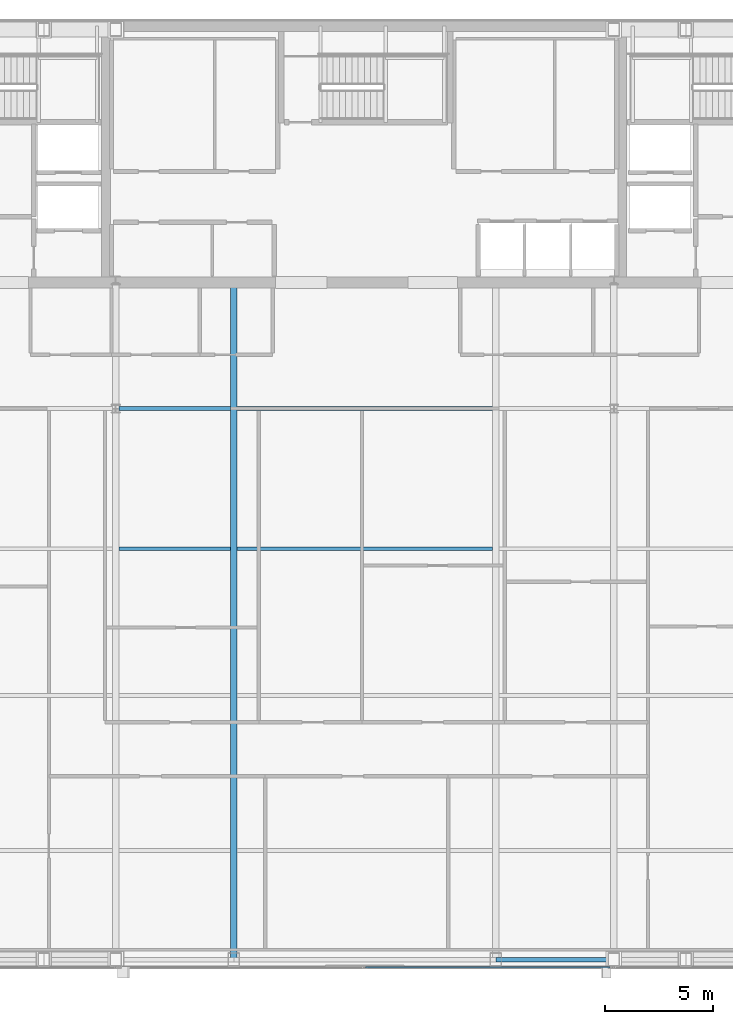
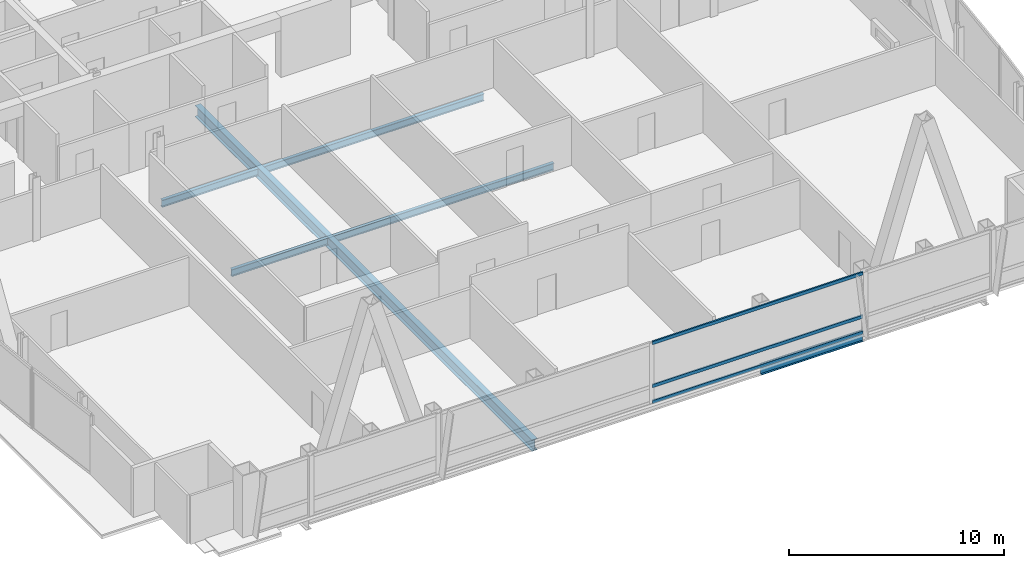
# One storey, part 11 of 28: 6 beams, 3 members, 1 element without a shape of its own.
"""IFC4 building model written with IfcOpenShell, lengths in metres."""

import ifcopenshell
import ifcopenshell.guid

model = None  # the IFC model being written
_history = None  # IfcOwnerHistory: only IFC2X3 demands one
_inside = {}  # id of a spatial element -> (the spatial element, [elements in it])
_under = {}  # id of a project, library or spatial element -> (it, [spatial elements below it])
_declared = {}  # id of a project -> (the project, [libraries it declares])
_typed = {}  # id of a type object -> (the type object, [elements of that type])
_made_of = {}  # id of a material, layer set ... -> (it, [elements and type objects made of it])


def new_model(schema):
    """Start an empty IFC model of exactly this schema.

    Asked for "IFC4X3", IfcOpenShell would pick the latest addendum, in which some entities
    have other attributes; the version numbers below select the first issue.
    IFC2X3 requires an IfcOwnerHistory on every rooted entity: one is made here for all.
    """
    global model, _history
    if schema == "IFC4X3":
        model = ifcopenshell.file(schema_version=(4, 3, 0, 0))
    else:
        model = ifcopenshell.file(schema=schema)
    _inside.clear()
    _under.clear()
    _declared.clear()
    _typed.clear()
    _made_of.clear()
    _history = None
    if model.schema == "IFC2X3":
        org = make("IfcOrganization", Name="unknown")
        user = make(
            "IfcPersonAndOrganization",
            ThePerson=make("IfcPerson", FamilyName="unknown"),
            TheOrganization=org,
        )
        app = make(
            "IfcApplication",
            ApplicationDeveloper=org,
            Version="unknown",
            ApplicationFullName="unknown",
            ApplicationIdentifier="unknown",
        )
        _history = make(
            "IfcOwnerHistory",
            OwningUser=user,
            OwningApplication=app,
            ChangeAction="ADDED",
            CreationDate=0,
        )
    return model


def make(cls, **values):
    """One entity of the class cls with the attributes given. An attribute that is None is left unset."""
    return model.create_entity(
        cls, **{name: value for name, value in values.items() if value is not None}
    )


def rooted(cls, **values):
    """An entity with a GlobalId (a new one), such as an element, a storey or a relation."""
    return make(cls, GlobalId=ifcopenshell.guid.new(), OwnerHistory=_history, **values)


def si_unit(unit_type, name, prefix=None):
    """IfcSIUnit, for example si_unit("LENGTHUNIT", "METRE", prefix="MILLI")."""
    return make("IfcSIUnit", UnitType=unit_type, Prefix=prefix, Name=name)


def assignment(units):
    """IfcUnitAssignment: the units of a project."""
    return None if units is None else make("IfcUnitAssignment", Units=units)


def point(xyz):
    """IfcCartesianPoint."""
    return None if xyz is None else make("IfcCartesianPoint", Coordinates=xyz)


def direction(xyz):
    """IfcDirection."""
    return None if xyz is None else make("IfcDirection", DirectionRatios=xyz)


def frame(location, z_axis=None, x_axis=None):
    """IfcAxis2Placement3D, a coordinate frame: its origin and axes. An axis left out is left unset."""
    return make(
        "IfcAxis2Placement3D",
        Location=point(location),
        Axis=direction(z_axis),
        RefDirection=direction(x_axis),
    )


def frame_2d(location, x_axis=None):
    """IfcAxis2Placement2D, a coordinate frame in the plane: its origin and x axis."""
    return make(
        "IfcAxis2Placement2D", Location=point(location), RefDirection=direction(x_axis)
    )


def origin():
    """The frame at (0, 0, 0) with its axes left unset."""
    return frame((0.0, 0.0, 0.0))


def origin_2d():
    """The frame at (0, 0) in the plane with its x axis left unset."""
    return frame_2d((0.0, 0.0))


def place(relative_to, where):
    """IfcLocalPlacement: puts the frame where relative to a parent placement (None: the world)."""
    return make(
        "IfcLocalPlacement", PlacementRelTo=relative_to, RelativePlacement=where
    )


def context(
    kind, dimensions, precision=None, world=None, true_north=None, identifier=None
):
    """IfcGeometricRepresentationContext, for example the 3D "Model" context."""
    return make(
        "IfcGeometricRepresentationContext",
        ContextIdentifier=identifier,
        ContextType=kind,
        CoordinateSpaceDimension=dimensions,
        Precision=precision,
        WorldCoordinateSystem=world,
        TrueNorth=true_north,
    )


def subcontext(parent, identifier, kind, view, scale=None):
    """IfcGeometricRepresentationSubContext, for example "Body" below "Model"."""
    return make(
        "IfcGeometricRepresentationSubContext",
        ContextIdentifier=identifier,
        ContextType=kind,
        ParentContext=parent,
        TargetScale=scale,
        TargetView=view,
    )


def project(units=None, contexts=None):
    """IfcProject with its units and contexts."""
    return rooted(
        "IfcProject",
        Name="project",
        RepresentationContexts=contexts,
        UnitsInContext=assignment(units),
    )


def spatial(cls, under=None, at=None, **own):
    """A site, building, storey or space (cls), placed at a placement, below another one or the project."""
    s = rooted(cls, ObjectPlacement=at, **own)
    if under is not None:
        _under.setdefault(under.id(), (under, []))[1].append(s)
    return s


def profile(cls, at=None, kind="AREA", **sizes):
    """A parametric profile (cls). Its sizes go by their IFC names, for example OverallWidth=200.0."""
    return make(cls, ProfileType=kind, Position=at, **sizes)


def hollow_rectangle(**sizes):
    """IfcRectangleHollowProfileDef."""
    return profile("IfcRectangleHollowProfileDef", **sizes)


def i_section(**sizes):
    """IfcIShapeProfileDef."""
    return profile("IfcIShapeProfileDef", **sizes)


def extrude(swept, where, along, depth):
    """IfcExtrudedAreaSolid: the profile swept, set in the frame where, extruded along a direction by depth."""
    return make(
        "IfcExtrudedAreaSolid",
        SweptArea=swept,
        Position=where,
        ExtrudedDirection=direction(along),
        Depth=depth,
    )


def shape(context_of_items, identifier, shape_type, items):
    """IfcShapeRepresentation: the items that make up one representation, for example the "Body"."""
    return make(
        "IfcShapeRepresentation",
        ContextOfItems=context_of_items,
        RepresentationIdentifier=identifier,
        RepresentationType=shape_type,
        Items=items,
    )


def material(Name=None, Category=None):
    """IfcMaterial."""
    return make("IfcMaterial", Name=Name, Category=Category)


def material_profile(
    of_material, cross_section, Name=None, Category=None, Priority=None
):
    """IfcMaterialProfile: a cross section and its material."""
    return make(
        "IfcMaterialProfile",
        Name=Name,
        Material=of_material,
        Profile=cross_section,
        Priority=Priority,
        Category=Category,
    )


def profile_set(profiles, Name=None, composite=None):
    """IfcMaterialProfileSet."""
    return make(
        "IfcMaterialProfileSet",
        Name=Name,
        MaterialProfiles=profiles,
        CompositeProfile=composite,
    )


def made_of(thing, what):
    """Note that an element or type object is made of a material, layer set ...; save() writes the relation."""
    if what is not None:
        _made_of.setdefault(what.id(), (what, []))[1].append(thing)
    return thing


def type_object(cls, material=None, **own):
    """A type object (cls), such as IfcWallType, which elements share."""
    return made_of(rooted(cls, **own), material)


def element(
    cls,
    number,
    at=None,
    inside=None,
    cuts=None,
    type_object=None,
    material=None,
    context=None,
    identifier="Body",
    shape_type=None,
    held_by="IfcProductDefinitionShape",
    body=None,
    shapes=None,
    **own,
):
    """One element of the class cls, such as IfcWall. Its Tag is "e" and its number.

    at: its placement. inside: the storey or other place that contains it. cuts: it is an
    opening in that element (IfcRelVoidsElement). A single representation is given by context,
    identifier, shape_type and body (its items); several are given by shapes. held_by: the class
    of the entity that holds the representations. save() writes the other relations.
    """
    e = rooted(cls, Tag="e%d" % number, ObjectPlacement=at, **own)
    if body is not None:
        shapes = [shape(context, identifier, shape_type, body)]
    if shapes is not None:
        e.Representation = make(held_by, Representations=shapes)
    if inside is not None:
        _inside.setdefault(inside.id(), (inside, []))[1].append(e)
    if cuts is not None:
        rooted(
            "IfcRelVoidsElement", RelatingBuildingElement=cuts, RelatedOpeningElement=e
        )
    if type_object is not None:
        _typed.setdefault(type_object.id(), (type_object, []))[1].append(e)
    return made_of(e, material)


def aggregate(whole, parts):
    """IfcRelAggregates: a whole, such as a stair, and the parts it consists of."""
    return rooted("IfcRelAggregates", RelatingObject=whole, RelatedObjects=parts)


def save(model, path):
    """Write the relations noted so far, then the file.

    IfcRelAggregates (storeys below a building ...), IfcRelContainedInSpatialStructure (elements
    in a storey), IfcRelDefinesByType, IfcRelAssociatesMaterial and IfcRelDeclares: one each for
    every whole, place, type object, material and project.
    """
    for whole, parts in _under.values():
        aggregate(whole, parts)
    for where, things in _inside.values():
        rooted(
            "IfcRelContainedInSpatialStructure",
            RelatedElements=things,
            RelatingStructure=where,
        )
    for kind, things in _typed.values():
        rooted("IfcRelDefinesByType", RelatedObjects=things, RelatingType=kind)
    for what, things in _made_of.values():
        rooted("IfcRelAssociatesMaterial", RelatedObjects=things, RelatingMaterial=what)
    for by, libraries in _declared.values():
        rooted("IfcRelDeclares", RelatingContext=by, RelatedDefinitions=libraries)
    model.write(path)


model = new_model("IFC4")

# Units and contexts
model_context = context("Model", 3, precision=1e-05, world=origin(), true_north=direction((0.0, 1.0)))
body_context = subcontext(model_context, "Body", "Model", "MODEL_VIEW")
ifc_project = project(units=[si_unit("LENGTHUNIT", "METRE"), si_unit("AREAUNIT", "SQUARE_METRE"), si_unit("VOLUMEUNIT", "CUBIC_METRE"), si_unit("PLANEANGLEUNIT", "RADIAN"), si_unit("MASSUNIT", "GRAM", prefix="KILO")], contexts=[model_context])

# Site, building, storey
site_placement = place(None, origin())
site = spatial("IfcSite", under=ifc_project, at=site_placement, CompositionType="ELEMENT")
building_placement = place(site_placement, origin())
building = spatial("IfcBuilding", under=site, at=building_placement, Name="Khoronbel Lancet Exchange", CompositionType="ELEMENT")
storey_placement = place(building_placement, frame((0.0, 0.0, 291.39990234375)))
storey = spatial("IfcBuildingStorey", under=building, at=storey_placement, Name="L75", CompositionType="ELEMENT", Elevation=291.39990234375)

# Beams
ifc_material_1 = material(Name="Steel S355", Category="steel")
ifc_material_profile_1 = material_profile(ifc_material_1, i_section(OverallWidth=0.300048828125, OverallDepth=0.64990234375, WebThickness=0.01611328125, FlangeThickness=0.031005859375, at=origin_2d()), Name="HEB 650")
ifc_profile_set_1 = profile_set([ifc_material_profile_1], Name="Steel S355")
beam_type_1 = type_object("IfcBeamType", Name="BM-BG4", PredefinedType="BEAM", material=ifc_profile_set_1)
beam_1_placement = place(storey_placement, frame((30.375, 10.14990234375, -0.48486328125), z_axis=(0.0, 1.0, 0.0), x_axis=(-1.0, 0.0, 0.0)))
element("IfcBeam", 1, at=beam_1_placement, inside=storey, type_object=beam_type_1, Name="Level L75 primary floor girder G3", PredefinedType="BEAM", context=body_context, shape_type="SweptSolid", body=[
    extrude(i_section(OverallWidth=0.300048828125, OverallDepth=0.64990234375, WebThickness=0.01611328125, FlangeThickness=0.031005859375, at=origin_2d()), origin(), (0.0, 0.0, 1.0), 31.400146484375),
])
ifc_material_profile_2 = material_profile(ifc_material_1, i_section(OverallWidth=0.179931640625, OverallDepth=0.39990234375, WebThickness=0.008544921875, FlangeThickness=0.013427734375, at=origin_2d()), Name="IPE 400")
ifc_profile_set_2 = profile_set([ifc_material_profile_2], Name="Steel S355")
beam_type_2 = type_object("IfcBeamType", Name="BM-BJ5", PredefinedType="JOIST", material=ifc_profile_set_2)
beam_2_placement = place(storey_placement, frame((25.050048828125, 29.199951171875, -0.35986328125), z_axis=(1.0, 0.0, 0.0), x_axis=(0.0, 1.0, 0.0)))
element("IfcBeam", 2, at=beam_2_placement, inside=storey, type_object=beam_type_2, Name="Level L75 secondary composite joist J12", PredefinedType="JOIST", context=body_context, shape_type="SweptSolid", body=[
    extrude(i_section(OverallWidth=0.179931640625, OverallDepth=0.39990234375, WebThickness=0.008544921875, FlangeThickness=0.013427734375, at=origin_2d()), origin(), (0.0, 0.0, 1.0), 5.175048828125),
])
beam_3_placement = place(storey_placement, frame((30.52490234375, 29.199951171875, -0.35986328125), z_axis=(1.0, 0.0, 0.0), x_axis=(0.0, 1.0, 0.0)))
element("IfcBeam", 3, at=beam_3_placement, inside=storey, type_object=beam_type_2, Name="Level L75 secondary composite joist J13", PredefinedType="JOIST", context=body_context, shape_type="SweptSolid", body=[
    extrude(i_section(OverallWidth=0.179931640625, OverallDepth=0.39990234375, WebThickness=0.008544921875, FlangeThickness=0.013427734375, at=origin_2d()), origin(), (0.0, 0.0, 1.0), 11.85009765625),
])
beam_4_placement = place(storey_placement, frame((25.050048828125, 35.699951171875, -0.35986328125), z_axis=(1.0, 0.0, 0.0), x_axis=(0.0, 1.0, 0.0)))
element("IfcBeam", 4, at=beam_4_placement, inside=storey, type_object=beam_type_2, Name="Level L75 secondary composite joist J17", PredefinedType="JOIST", context=body_context, shape_type="SweptSolid", body=[
    extrude(i_section(OverallWidth=0.179931640625, OverallDepth=0.39990234375, WebThickness=0.008544921875, FlangeThickness=0.013427734375, at=origin_2d()), origin(), (0.0, 0.0, 1.0), 5.175048828125),
])
beam_5_placement = place(storey_placement, frame((30.52490234375, 35.699951171875, -0.35986328125), z_axis=(1.0, 0.0, 0.0), x_axis=(0.0, 1.0, 0.0)))
element("IfcBeam", 5, at=beam_5_placement, inside=storey, type_object=beam_type_2, Name="Level L75 secondary composite joist J18", PredefinedType="JOIST", context=body_context, shape_type="SweptSolid", body=[
    extrude(i_section(OverallWidth=0.179931640625, OverallDepth=0.39990234375, WebThickness=0.008544921875, FlangeThickness=0.013427734375, at=origin_2d()), origin(), (0.0, 0.0, 1.0), 11.85009765625),
])
ifc_material_profile_3 = material_profile(ifc_material_1, i_section(OverallWidth=0.2099609375, OverallDepth=0.550048828125, WebThickness=0.010986328125, FlangeThickness=0.01708984375, at=origin_2d()), Name="IPE 550")
ifc_profile_set_3 = profile_set([ifc_material_profile_3], Name="Steel S355")
beam_type_3 = type_object("IfcBeamType", Name="BM-BSP3", PredefinedType="SPANDREL", material=ifc_profile_set_3)
beam_6_placement = place(storey_placement, frame((42.52490234375, 10.14990234375, -0.434814453125), z_axis=(1.0, 0.0, 0.0), x_axis=(0.0, 1.0, 0.0)))
element("IfcBeam", 6, at=beam_6_placement, inside=storey, type_object=beam_type_3, Name="Level L75 perimeter spandrel beam SP05", PredefinedType="SPANDREL", context=body_context, shape_type="SweptSolid", body=[
    extrude(i_section(OverallWidth=0.2099609375, OverallDepth=0.550048828125, WebThickness=0.010986328125, FlangeThickness=0.01708984375, at=origin_2d()), origin(), (0.0, 0.0, 1.0), 5.47509765625),
])

# Curtain wall, members
ifc_material_2 = material(Name="Low-E Solar Control Insulating Glass", Category="glass")
curtain_wall_type = type_object("IfcCurtainWallType", Name="CW-3", PredefinedType="NOTDEFINED", material=ifc_material_2)
curtain_wall_placement = place(storey_placement, origin())
curtain_wall = element("IfcCurtainWall", 7, at=curtain_wall_placement, inside=storey, type_object=curtain_wall_type, Name="Unitised curtain wall CW-L75-SCV", PredefinedType="NOTDEFINED")
ifc_material_3 = material(Name="Bronze-Anodised Aluminium 6063-T6", Category="aluminium")
ifc_material_profile_4 = material_profile(ifc_material_3, hollow_rectangle(XDim=0.0849609375, YDim=0.179931640625, WallThickness=0.0048828125, at=origin_2d()), Name="ALU TRANSOM 85x180")
ifc_profile_set_4 = profile_set([ifc_material_profile_4], Name="Bronze-Anodised Aluminium 6063-T6")
member_type = type_object("IfcMemberType", Name="MEM-CWT1", PredefinedType="USERDEFINED", material=ifc_profile_set_4)
member_1_placement = place(storey_placement, frame((36.492431640625, 9.7900390625, 0.04248046875), z_axis=(1.0, 0.0, 0.0), x_axis=(0.0, 1.0, 0.0)))
member_1 = element("IfcMember", 8, at=member_1_placement, type_object=member_type, Name="CW3 transom 2.1", ObjectType="TRANSOM", PredefinedType="USERDEFINED", context=body_context, shape_type="SweptSolid", body=[
    extrude(hollow_rectangle(XDim=0.0849609375, YDim=0.179931640625, WallThickness=0.0048828125, at=origin_2d()), origin(), (0.0, 0.0, 1.0), 11.322509765625),
])
member_2_placement = place(storey_placement, frame((36.492431640625, 9.7900390625, 0.9501953125), z_axis=(1.0, 0.0, 0.0), x_axis=(0.0, 1.0, 0.0)))
member_2 = element("IfcMember", 9, at=member_2_placement, type_object=member_type, Name="CW3 transom 2.2", ObjectType="TRANSOM", PredefinedType="USERDEFINED", context=body_context, shape_type="SweptSolid", body=[
    extrude(hollow_rectangle(XDim=0.0849609375, YDim=0.179931640625, WallThickness=0.0048828125, at=origin_2d()), origin(), (0.0, 0.0, 1.0), 11.322509765625),
])
member_3_placement = place(storey_placement, frame((36.492431640625, 9.7900390625, 3.397705078125), z_axis=(1.0, 0.0, 0.0), x_axis=(0.0, 1.0, 0.0)))
member_3 = element("IfcMember", 10, at=member_3_placement, type_object=member_type, Name="CW3 transom 2.3", ObjectType="TRANSOM", PredefinedType="USERDEFINED", context=body_context, shape_type="SweptSolid", body=[
    extrude(hollow_rectangle(XDim=0.0849609375, YDim=0.179931640625, WallThickness=0.0048828125, at=origin_2d()), origin(), (0.0, 0.0, 1.0), 11.322509765625),
])
aggregate(curtain_wall, [member_1, member_2, member_3])

save(model, "model.ifc")
